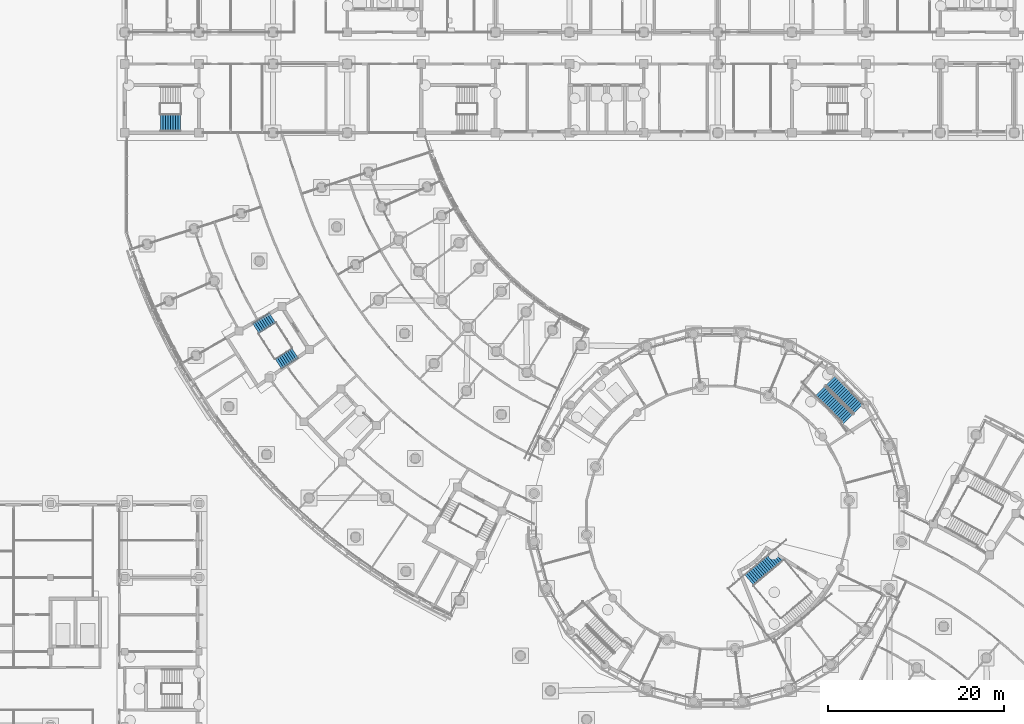
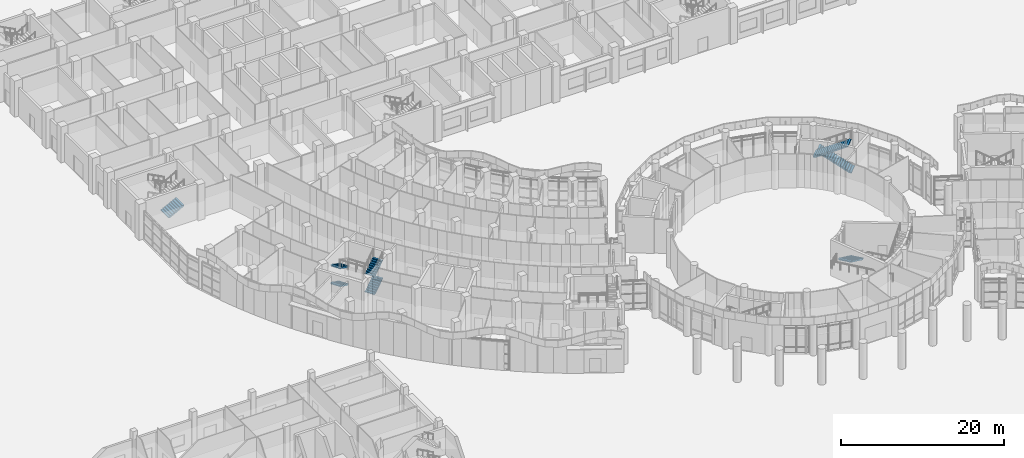
# One storey, part 96 of 146: 8 stair flights, 4 elements without a shape of their own.
"""IFC4 building model written with IfcOpenShell, lengths in metres."""

from ifc_helpers import new_model, si_unit, direction, frame, origin, place, context, subcontext, project, spatial, polyline, outline, extrude, material, type_object, element, aggregate, save


model = new_model("IFC4")

# Units and contexts
model_context = context("Model", 3, precision=1e-05, world=origin(), true_north=direction((0.0, 1.0)))
body_context = subcontext(model_context, "Body", "Model", "MODEL_VIEW")
ifc_project = project(units=[si_unit("LENGTHUNIT", "METRE"), si_unit("AREAUNIT", "SQUARE_METRE"), si_unit("VOLUMEUNIT", "CUBIC_METRE"), si_unit("PLANEANGLEUNIT", "RADIAN"), si_unit("MASSUNIT", "GRAM", prefix="KILO")], contexts=[model_context])

# Site, building, storey
site_placement = place(None, origin())
site = spatial("IfcSite", under=ifc_project, at=site_placement, CompositionType="ELEMENT")
building_placement = place(site_placement, origin())
building = spatial("IfcBuilding", under=site, at=building_placement, Name="Bougainvillea Quay General Hospital", CompositionType="ELEMENT")
storey_placement = place(building_placement, origin())
storey = spatial("IfcBuildingStorey", under=building, at=storey_placement, Name="L00", CompositionType="ELEMENT", Elevation=0.0)

# Stair, stair flights
ifc_material = material(Name="Concrete C35", Category="concrete")
stair_type_1 = type_object("IfcStairType", Name="Stair half-turn 1350 wide", PredefinedType="HALF_TURN_STAIR", material=ifc_material)
stair_1_placement = place(storey_placement, origin())
stair_1 = element("IfcStair", 1, at=stair_1_placement, inside=storey, type_object=stair_type_1, Name="L00 stair ST-W2", PredefinedType="HALF_TURN_STAIR")
stair_flight_type_1 = type_object("IfcStairFlightType", Name="Stair flight 1350", PredefinedType="STRAIGHT", material=ifc_material)
stair_flight_1_placement = place(storey_placement, frame((58.736572265625, 96.6396484375, 0.0), z_axis=(0.0, 0.0, 1.0), x_axis=(-0.842999170031, -0.537914862526, 0.0)))
stair_flight_1 = element("IfcStairFlight", 2, at=stair_flight_1_placement, type_object=stair_flight_type_1, Name="ST-W2 flight 1", NumberOfRisers=9, NumberOfTreads=8, PredefinedType="STRAIGHT", RiserHeight=0.15, TreadLength=0.28, context=body_context, shape_type="SweptSolid", body=[
    extrude(outline(polyline([(-0.0029296875, 0.0), (-0.0029296875, 0.003662109375), (-0.0029296875, 0.00732421875), (-0.0029296875, 0.010986328125), (-0.0029296875, 0.0146484375), (-0.0029296875, 0.018310546875), (-0.0029296875, 0.02197265625), (-0.0029296875, 0.025634765625), (-0.0029296875, 0.029296875), (-0.0029296875, 0.032958984375), (-0.0029296875, 0.03662109375), (-0.0029296875, 0.040283203125), (-0.0029296875, 0.0439453125), (-0.0029296875, 0.047607421875), (-0.0029296875, 0.05126953125), (-0.0029296875, 0.054931640625), (-0.0029296875, 0.05859375), (-0.0029296875, 0.062255859375), (-0.0029296875, 0.06591796875), (-0.0029296875, 0.069580078125), (-0.0029296875, 0.0732421875), (-0.0029296875, 0.076904296875), (-0.0029296875, 0.08056640625), (-0.0029296875, 0.084228515625), (-0.0029296875, 0.087890625), (-0.0029296875, 0.091552734375), (-0.0029296875, 0.09521484375), (-0.0029296875, 0.098876953125), (-0.0029296875, 0.1025390625), (-0.0029296875, 0.106201171875), (-0.0029296875, 0.10986328125), (-0.0029296875, 0.113525390625), (-0.0029296875, 0.1171875), (-0.0029296875, 0.120849609375), (-0.0029296875, 0.12451171875), (-0.0029296875, 0.1279296875), (-0.0029296875, 0.131591796875), (-0.0029296875, 0.13525390625), (-0.0029296875, 0.138916015625), (-0.0029296875, 0.142578125), (-0.0029296875, 0.146240234375), (-0.0029296875, 0.14990234375), (0.280029296875, 0.14990234375), (0.280029296875, 0.300048828125), (0.56005859375, 0.300048828125), (0.56005859375, 0.449951171875), (0.840087890625, 0.449951171875), (0.840087890625, 0.60009765625), (1.1201171875, 0.60009765625), (1.1201171875, 0.75), (1.39990234375, 0.75), (1.39990234375, 0.89990234375), (1.679931640625, 0.89990234375), (1.679931640625, 1.050048828125), (1.9599609375, 1.050048828125), (1.9599609375, 1.199951171875), (2.242919921875, 1.199951171875), (2.242919921875, 1.19580078125), (2.242919921875, 1.191650390625), (2.242919921875, 1.1875), (2.242919921875, 1.183349609375), (2.242919921875, 1.17919921875), (2.242919921875, 1.175048828125), (2.242919921875, 1.1708984375), (2.242919921875, 1.166748046875), (2.242919921875, 1.16259765625), (2.242919921875, 1.158447265625), (2.242919921875, 1.154296875), (2.242919921875, 1.150146484375), (2.242919921875, 1.14599609375), (2.242919921875, 1.141845703125), (2.242919921875, 1.1376953125), (2.242919921875, 1.133544921875), (2.242919921875, 1.12939453125), (2.242919921875, 1.125244140625), (2.242919921875, 1.12109375), (2.242919921875, 1.116943359375), (2.242919921875, 1.11279296875), (2.242919921875, 1.108642578125), (2.242919921875, 1.1044921875), (2.242919921875, 1.100341796875), (2.242919921875, 1.09619140625), (2.242919921875, 1.092041015625), (2.242919921875, 1.087890625), (2.242919921875, 1.083984375), (2.242919921875, 1.079833984375), (2.242919921875, 1.07568359375), (2.242919921875, 1.071533203125), (2.242919921875, 1.0673828125), (2.242919921875, 1.063232421875), (2.242919921875, 1.05908203125), (2.242919921875, 1.054931640625), (2.242919921875, 1.05078125), (2.242919921875, 1.046630859375), (2.242919921875, 1.04248046875), (2.242919921875, 1.038330078125), (2.242919921875, 1.0341796875), (2.242919921875, 1.030029296875), (0.3173828125, 0.0), (-0.0029296875, 0.0)])), frame((0.0, 0.675048828125, 0.0), z_axis=(0.0, -1.0, 0.0), x_axis=(1.0, 0.0, 0.0)), (0.0, 0.0, 1.0), 1.35009765625),
])
stair_flight_2_placement = place(storey_placement, frame((59.4150390625, 91.412109375, 1.35009765625), z_axis=(0.0, 0.0, 1.0), x_axis=(0.842999170031, 0.537914862526, 0.0)))
stair_flight_2 = element("IfcStairFlight", 3, at=stair_flight_2_placement, type_object=stair_flight_type_1, Name="ST-W2 flight 2", NumberOfRisers=9, NumberOfTreads=8, PredefinedType="STRAIGHT", RiserHeight=0.15, TreadLength=0.28, context=body_context, shape_type="SweptSolid", body=[
    extrude(outline(polyline([(-0.0029296875, 0.0), (-0.0029296875, 0.003662109375), (-0.0029296875, 0.00732421875), (-0.0029296875, 0.010986328125), (-0.0029296875, 0.0146484375), (-0.0029296875, 0.018310546875), (-0.0029296875, 0.02197265625), (-0.0029296875, 0.025634765625), (-0.0029296875, 0.029296875), (-0.0029296875, 0.032958984375), (-0.0029296875, 0.03662109375), (-0.0029296875, 0.040283203125), (-0.0029296875, 0.0439453125), (-0.0029296875, 0.047607421875), (-0.0029296875, 0.05126953125), (-0.0029296875, 0.054931640625), (-0.0029296875, 0.05859375), (-0.0029296875, 0.062255859375), (-0.0029296875, 0.06591796875), (-0.0029296875, 0.069580078125), (-0.0029296875, 0.0732421875), (-0.0029296875, 0.076904296875), (-0.0029296875, 0.08056640625), (-0.0029296875, 0.084228515625), (-0.0029296875, 0.087890625), (-0.0029296875, 0.091552734375), (-0.0029296875, 0.09521484375), (-0.0029296875, 0.098876953125), (-0.0029296875, 0.1025390625), (-0.0029296875, 0.106201171875), (-0.0029296875, 0.10986328125), (-0.0029296875, 0.113525390625), (-0.0029296875, 0.1171875), (-0.0029296875, 0.120849609375), (-0.0029296875, 0.12451171875), (-0.0029296875, 0.1279296875), (-0.0029296875, 0.131591796875), (-0.0029296875, 0.13525390625), (-0.0029296875, 0.138916015625), (-0.0029296875, 0.142578125), (-0.0029296875, 0.146240234375), (-0.0029296875, 0.14990234375), (0.280029296875, 0.14990234375), (0.280029296875, 0.300048828125), (0.56005859375, 0.300048828125), (0.56005859375, 0.449951171875), (0.840087890625, 0.449951171875), (0.840087890625, 0.60009765625), (1.1201171875, 0.60009765625), (1.1201171875, 0.75), (1.39990234375, 0.75), (1.39990234375, 0.89990234375), (1.679931640625, 0.89990234375), (1.679931640625, 1.050048828125), (1.9599609375, 1.050048828125), (1.9599609375, 1.199951171875), (2.242919921875, 1.199951171875), (2.242919921875, 1.19580078125), (2.242919921875, 1.191650390625), (2.242919921875, 1.1875), (2.242919921875, 1.183349609375), (2.242919921875, 1.17919921875), (2.242919921875, 1.175048828125), (2.242919921875, 1.1708984375), (2.242919921875, 1.166748046875), (2.242919921875, 1.16259765625), (2.242919921875, 1.158447265625), (2.242919921875, 1.154296875), (2.242919921875, 1.150146484375), (2.242919921875, 1.14599609375), (2.242919921875, 1.141845703125), (2.242919921875, 1.1376953125), (2.242919921875, 1.133544921875), (2.242919921875, 1.12939453125), (2.242919921875, 1.125244140625), (2.242919921875, 1.12109375), (2.242919921875, 1.116943359375), (2.242919921875, 1.11279296875), (2.242919921875, 1.108642578125), (2.242919921875, 1.1044921875), (2.242919921875, 1.100341796875), (2.242919921875, 1.09619140625), (2.242919921875, 1.092041015625), (2.242919921875, 1.087890625), (2.242919921875, 1.083984375), (2.242919921875, 1.079833984375), (2.242919921875, 1.07568359375), (2.242919921875, 1.071533203125), (2.242919921875, 1.0673828125), (2.242919921875, 1.063232421875), (2.242919921875, 1.05908203125), (2.242919921875, 1.054931640625), (2.242919921875, 1.05078125), (2.242919921875, 1.046630859375), (2.242919921875, 1.04248046875), (2.242919921875, 1.038330078125), (2.242919921875, 1.0341796875), (2.242919921875, 1.030029296875), (0.3173828125, 0.0), (-0.0029296875, 0.0)])), frame((0.0, 0.675048828125, 0.0), z_axis=(0.0, -1.0, 0.0), x_axis=(1.0, 0.0, 0.0)), (0.0, 0.0, 1.0), 1.35009765625),
])
stair_flight_3_placement = place(storey_placement, frame((58.736572265625, 96.6396484375, 2.699951171875), z_axis=(0.0, 0.0, 1.0), x_axis=(-0.842999170031, -0.537914862526, 0.0)))
stair_flight_3 = element("IfcStairFlight", 4, at=stair_flight_3_placement, type_object=stair_flight_type_1, Name="ST-W2 flight 3", NumberOfRisers=9, NumberOfTreads=8, PredefinedType="STRAIGHT", RiserHeight=0.15, TreadLength=0.28, context=body_context, shape_type="SweptSolid", body=[
    extrude(outline(polyline([(-0.0029296875, 0.0), (-0.0029296875, 0.003662109375), (-0.0029296875, 0.00732421875), (-0.0029296875, 0.010986328125), (-0.0029296875, 0.0146484375), (-0.0029296875, 0.018310546875), (-0.0029296875, 0.02197265625), (-0.0029296875, 0.025634765625), (-0.0029296875, 0.029296875), (-0.0029296875, 0.032958984375), (-0.0029296875, 0.03662109375), (-0.0029296875, 0.040283203125), (-0.0029296875, 0.0439453125), (-0.0029296875, 0.047607421875), (-0.0029296875, 0.05126953125), (-0.0029296875, 0.054931640625), (-0.0029296875, 0.05859375), (-0.0029296875, 0.062255859375), (-0.0029296875, 0.06591796875), (-0.0029296875, 0.069580078125), (-0.0029296875, 0.0732421875), (-0.0029296875, 0.076904296875), (-0.0029296875, 0.08056640625), (-0.0029296875, 0.084228515625), (-0.0029296875, 0.087890625), (-0.0029296875, 0.091552734375), (-0.0029296875, 0.09521484375), (-0.0029296875, 0.098876953125), (-0.0029296875, 0.1025390625), (-0.0029296875, 0.106201171875), (-0.0029296875, 0.10986328125), (-0.0029296875, 0.113525390625), (-0.0029296875, 0.1171875), (-0.0029296875, 0.120849609375), (-0.0029296875, 0.12451171875), (-0.0029296875, 0.1279296875), (-0.0029296875, 0.131591796875), (-0.0029296875, 0.13525390625), (-0.0029296875, 0.138916015625), (-0.0029296875, 0.142578125), (-0.0029296875, 0.146240234375), (-0.0029296875, 0.14990234375), (0.280029296875, 0.14990234375), (0.280029296875, 0.300048828125), (0.56005859375, 0.300048828125), (0.56005859375, 0.449951171875), (0.840087890625, 0.449951171875), (0.840087890625, 0.60009765625), (1.1201171875, 0.60009765625), (1.1201171875, 0.75), (1.39990234375, 0.75), (1.39990234375, 0.89990234375), (1.679931640625, 0.89990234375), (1.679931640625, 1.050048828125), (1.9599609375, 1.050048828125), (1.9599609375, 1.199951171875), (2.242919921875, 1.199951171875), (2.242919921875, 1.19580078125), (2.242919921875, 1.191650390625), (2.242919921875, 1.1875), (2.242919921875, 1.183349609375), (2.242919921875, 1.17919921875), (2.242919921875, 1.175048828125), (2.242919921875, 1.1708984375), (2.242919921875, 1.166748046875), (2.242919921875, 1.16259765625), (2.242919921875, 1.158447265625), (2.242919921875, 1.154296875), (2.242919921875, 1.150146484375), (2.242919921875, 1.14599609375), (2.242919921875, 1.141845703125), (2.242919921875, 1.1376953125), (2.242919921875, 1.133544921875), (2.242919921875, 1.12939453125), (2.242919921875, 1.125244140625), (2.242919921875, 1.12109375), (2.242919921875, 1.116943359375), (2.242919921875, 1.11279296875), (2.242919921875, 1.108642578125), (2.242919921875, 1.1044921875), (2.242919921875, 1.100341796875), (2.242919921875, 1.09619140625), (2.242919921875, 1.092041015625), (2.242919921875, 1.087890625), (2.242919921875, 1.083984375), (2.242919921875, 1.079833984375), (2.242919921875, 1.07568359375), (2.242919921875, 1.071533203125), (2.242919921875, 1.0673828125), (2.242919921875, 1.063232421875), (2.242919921875, 1.05908203125), (2.242919921875, 1.054931640625), (2.242919921875, 1.05078125), (2.242919921875, 1.046630859375), (2.242919921875, 1.04248046875), (2.242919921875, 1.038330078125), (2.242919921875, 1.0341796875), (2.242919921875, 1.030029296875), (0.3173828125, 0.0), (-0.0029296875, 0.0)])), frame((0.0, 0.675048828125, 0.0), z_axis=(0.0, -1.0, 0.0), x_axis=(1.0, 0.0, 0.0)), (0.0, 0.0, 1.0), 1.35009765625),
])
stair_flight_4_placement = place(storey_placement, frame((59.4150390625, 91.412109375, 4.050048828125), z_axis=(0.0, 0.0, 1.0), x_axis=(0.842999170031, 0.537914862526, 0.0)))
stair_flight_4 = element("IfcStairFlight", 5, at=stair_flight_4_placement, type_object=stair_flight_type_1, Name="ST-W2 flight 4", NumberOfRisers=9, NumberOfTreads=8, PredefinedType="STRAIGHT", RiserHeight=0.15, TreadLength=0.28, context=body_context, shape_type="SweptSolid", body=[
    extrude(outline(polyline([(-0.0029296875, 0.0), (-0.0029296875, 0.003662109375), (-0.0029296875, 0.00732421875), (-0.0029296875, 0.010986328125), (-0.0029296875, 0.0146484375), (-0.0029296875, 0.018310546875), (-0.0029296875, 0.02197265625), (-0.0029296875, 0.025634765625), (-0.0029296875, 0.029296875), (-0.0029296875, 0.032958984375), (-0.0029296875, 0.03662109375), (-0.0029296875, 0.040283203125), (-0.0029296875, 0.0439453125), (-0.0029296875, 0.047607421875), (-0.0029296875, 0.05126953125), (-0.0029296875, 0.054931640625), (-0.0029296875, 0.05859375), (-0.0029296875, 0.062255859375), (-0.0029296875, 0.06591796875), (-0.0029296875, 0.069580078125), (-0.0029296875, 0.0732421875), (-0.0029296875, 0.076904296875), (-0.0029296875, 0.08056640625), (-0.0029296875, 0.084228515625), (-0.0029296875, 0.087890625), (-0.0029296875, 0.091552734375), (-0.0029296875, 0.09521484375), (-0.0029296875, 0.098876953125), (-0.0029296875, 0.1025390625), (-0.0029296875, 0.106201171875), (-0.0029296875, 0.10986328125), (-0.0029296875, 0.113525390625), (-0.0029296875, 0.1171875), (-0.0029296875, 0.120849609375), (-0.0029296875, 0.12451171875), (-0.0029296875, 0.1279296875), (-0.0029296875, 0.131591796875), (-0.0029296875, 0.13525390625), (-0.0029296875, 0.138916015625), (-0.0029296875, 0.142578125), (-0.0029296875, 0.146240234375), (-0.0029296875, 0.14990234375), (0.280029296875, 0.14990234375), (0.280029296875, 0.300048828125), (0.56005859375, 0.300048828125), (0.56005859375, 0.449951171875), (0.840087890625, 0.449951171875), (0.840087890625, 0.60009765625), (1.1201171875, 0.60009765625), (1.1201171875, 0.75), (1.39990234375, 0.75), (1.39990234375, 0.89990234375), (1.679931640625, 0.89990234375), (1.679931640625, 1.050048828125), (1.9599609375, 1.050048828125), (1.9599609375, 1.199951171875), (2.242919921875, 1.199951171875), (2.242919921875, 1.19580078125), (2.242919921875, 1.191650390625), (2.242919921875, 1.1875), (2.242919921875, 1.183349609375), (2.242919921875, 1.17919921875), (2.242919921875, 1.175048828125), (2.242919921875, 1.1708984375), (2.242919921875, 1.166748046875), (2.242919921875, 1.16259765625), (2.242919921875, 1.158447265625), (2.242919921875, 1.154296875), (2.242919921875, 1.150146484375), (2.242919921875, 1.14599609375), (2.242919921875, 1.141845703125), (2.242919921875, 1.1376953125), (2.242919921875, 1.133544921875), (2.242919921875, 1.12939453125), (2.242919921875, 1.125244140625), (2.242919921875, 1.12109375), (2.242919921875, 1.116943359375), (2.242919921875, 1.11279296875), (2.242919921875, 1.108642578125), (2.242919921875, 1.1044921875), (2.242919921875, 1.100341796875), (2.242919921875, 1.09619140625), (2.242919921875, 1.092041015625), (2.242919921875, 1.087890625), (2.242919921875, 1.083984375), (2.242919921875, 1.079833984375), (2.242919921875, 1.07568359375), (2.242919921875, 1.071533203125), (2.242919921875, 1.0673828125), (2.242919921875, 1.063232421875), (2.242919921875, 1.05908203125), (2.242919921875, 1.054931640625), (2.242919921875, 1.05078125), (2.242919921875, 1.046630859375), (2.242919921875, 1.04248046875), (2.242919921875, 1.038330078125), (2.242919921875, 1.0341796875), (2.242919921875, 1.030029296875), (0.3173828125, 0.0), (-0.0029296875, 0.0)])), frame((0.0, 0.675048828125, 0.0), z_axis=(0.0, -1.0, 0.0), x_axis=(1.0, 0.0, 0.0)), (0.0, 0.0, 1.0), 1.35009765625),
])
aggregate(stair_1, [stair_flight_1, stair_flight_2, stair_flight_3, stair_flight_4])

stair_type_2 = type_object("IfcStairType", Name="Stair half-turn 1563 wide", PredefinedType="HALF_TURN_STAIR", material=ifc_material)
stair_2_placement = place(storey_placement, origin())
stair_2 = element("IfcStair", 6, at=stair_2_placement, inside=storey, type_object=stair_type_2, Name="L00 stair ST-H1", PredefinedType="HALF_TURN_STAIR")
stair_flight_type_2 = type_object("IfcStairFlightType", Name="Stair flight 1563", PredefinedType="STRAIGHT", material=ifc_material)
stair_flight_5_placement = place(storey_placement, frame((125.146728515625, 86.318115234375, 0.0), z_axis=(0.0, 0.0, 1.0), x_axis=(-0.707106781187, 0.707106781187, 0.0)))
stair_flight_5 = element("IfcStairFlight", 7, at=stair_flight_5_placement, type_object=stair_flight_type_2, Name="ST-H1 flight 1", NumberOfRisers=17, NumberOfTreads=16, PredefinedType="STRAIGHT", RiserHeight=0.158823529, TreadLength=0.28, context=body_context, shape_type="SweptSolid", body=[
    extrude(outline(polyline([(-0.0029296875, 0.0), (-0.0029296875, 0.00390625), (-0.0029296875, 0.0078125), (-0.0029296875, 0.01171875), (-0.0029296875, 0.015380859375), (-0.0029296875, 0.019287109375), (-0.0029296875, 0.023193359375), (-0.0029296875, 0.027099609375), (-0.0029296875, 0.031005859375), (-0.0029296875, 0.034912109375), (-0.0029296875, 0.038818359375), (-0.0029296875, 0.042724609375), (-0.0029296875, 0.04638671875), (-0.0029296875, 0.05029296875), (-0.0029296875, 0.05419921875), (-0.0029296875, 0.05810546875), (-0.0029296875, 0.06201171875), (-0.0029296875, 0.06591796875), (-0.0029296875, 0.06982421875), (-0.0029296875, 0.073486328125), (-0.0029296875, 0.077392578125), (-0.0029296875, 0.081298828125), (-0.0029296875, 0.085205078125), (-0.0029296875, 0.089111328125), (-0.0029296875, 0.093017578125), (-0.0029296875, 0.096923828125), (-0.0029296875, 0.100830078125), (-0.0029296875, 0.1044921875), (-0.0029296875, 0.1083984375), (-0.0029296875, 0.1123046875), (-0.0029296875, 0.1162109375), (-0.0029296875, 0.1201171875), (-0.0029296875, 0.1240234375), (-0.0029296875, 0.1279296875), (-0.0029296875, 0.131591796875), (-0.0029296875, 0.135498046875), (-0.0029296875, 0.139404296875), (-0.0029296875, 0.143310546875), (-0.0029296875, 0.147216796875), (-0.0029296875, 0.151123046875), (-0.0029296875, 0.155029296875), (-0.0029296875, 0.158935546875), (0.280029296875, 0.158935546875), (0.280029296875, 0.317626953125), (0.56005859375, 0.317626953125), (0.56005859375, 0.4765625), (0.840087890625, 0.4765625), (0.840087890625, 0.63525390625), (1.1201171875, 0.63525390625), (1.1201171875, 0.794189453125), (1.39990234375, 0.794189453125), (1.39990234375, 0.952880859375), (1.679931640625, 0.952880859375), (1.679931640625, 1.11181640625), (1.9599609375, 1.11181640625), (1.9599609375, 1.2705078125), (2.239990234375, 1.2705078125), (2.239990234375, 1.429443359375), (2.52001953125, 1.429443359375), (2.52001953125, 1.588134765625), (2.800048828125, 1.588134765625), (2.800048828125, 1.7470703125), (3.080078125, 1.7470703125), (3.080078125, 1.90576171875), (3.360107421875, 1.90576171875), (3.360107421875, 2.064697265625), (3.639892578125, 2.064697265625), (3.639892578125, 2.2236328125), (3.919921875, 2.2236328125), (3.919921875, 2.38232421875), (4.199951171875, 2.38232421875), (4.199951171875, 2.541259765625), (4.48291015625, 2.541259765625), (4.48291015625, 2.536865234375), (4.48291015625, 2.53271484375), (4.48291015625, 2.528564453125), (4.48291015625, 2.5244140625), (4.48291015625, 2.520263671875), (4.48291015625, 2.515869140625), (4.48291015625, 2.51171875), (4.48291015625, 2.507568359375), (4.48291015625, 2.50341796875), (4.48291015625, 2.4990234375), (4.48291015625, 2.494873046875), (4.48291015625, 2.49072265625), (4.48291015625, 2.486572265625), (4.48291015625, 2.482421875), (4.48291015625, 2.47802734375), (4.48291015625, 2.473876953125), (4.48291015625, 2.4697265625), (4.48291015625, 2.465576171875), (4.48291015625, 2.46142578125), (4.48291015625, 2.45703125), (4.48291015625, 2.452880859375), (4.48291015625, 2.44873046875), (4.48291015625, 2.444580078125), (4.48291015625, 2.440185546875), (4.48291015625, 2.43603515625), (4.48291015625, 2.431884765625), (4.48291015625, 2.427734375), (4.48291015625, 2.423583984375), (4.48291015625, 2.419189453125), (4.48291015625, 2.4150390625), (4.48291015625, 2.410888671875), (4.48291015625, 2.40673828125), (4.48291015625, 2.40234375), (4.48291015625, 2.398193359375), (4.48291015625, 2.39404296875), (4.48291015625, 2.389892578125), (4.48291015625, 2.3857421875), (4.48291015625, 2.38134765625), (4.48291015625, 2.377197265625), (4.48291015625, 2.373046875), (4.48291015625, 2.368896484375), (0.3037109375, 0.0), (-0.0029296875, 0.0)])), frame((0.0, 0.781494140625, 0.0), z_axis=(0.0, -1.0, 0.0), x_axis=(1.0, 0.0, 0.0)), (0.0, 0.0, 1.0), 1.56298828125),
])
stair_flight_6_placement = place(storey_placement, frame((120.802978515625, 88.31005859375, 2.699951171875), z_axis=(0.0, 0.0, 1.0), x_axis=(0.707106781187, -0.707106781187, 0.0)))
stair_flight_6 = element("IfcStairFlight", 8, at=stair_flight_6_placement, type_object=stair_flight_type_2, Name="ST-H1 flight 2", NumberOfRisers=17, NumberOfTreads=16, PredefinedType="STRAIGHT", RiserHeight=0.158823529, TreadLength=0.28, context=body_context, shape_type="SweptSolid", body=[
    extrude(outline(polyline([(-0.0029296875, 0.0), (-0.0029296875, 0.00390625), (-0.0029296875, 0.0078125), (-0.0029296875, 0.01171875), (-0.0029296875, 0.015380859375), (-0.0029296875, 0.019287109375), (-0.0029296875, 0.023193359375), (-0.0029296875, 0.027099609375), (-0.0029296875, 0.031005859375), (-0.0029296875, 0.034912109375), (-0.0029296875, 0.038818359375), (-0.0029296875, 0.042724609375), (-0.0029296875, 0.04638671875), (-0.0029296875, 0.05029296875), (-0.0029296875, 0.05419921875), (-0.0029296875, 0.05810546875), (-0.0029296875, 0.06201171875), (-0.0029296875, 0.06591796875), (-0.0029296875, 0.06982421875), (-0.0029296875, 0.073486328125), (-0.0029296875, 0.077392578125), (-0.0029296875, 0.081298828125), (-0.0029296875, 0.085205078125), (-0.0029296875, 0.089111328125), (-0.0029296875, 0.093017578125), (-0.0029296875, 0.096923828125), (-0.0029296875, 0.100830078125), (-0.0029296875, 0.1044921875), (-0.0029296875, 0.1083984375), (-0.0029296875, 0.1123046875), (-0.0029296875, 0.1162109375), (-0.0029296875, 0.1201171875), (-0.0029296875, 0.1240234375), (-0.0029296875, 0.1279296875), (-0.0029296875, 0.131591796875), (-0.0029296875, 0.135498046875), (-0.0029296875, 0.139404296875), (-0.0029296875, 0.143310546875), (-0.0029296875, 0.147216796875), (-0.0029296875, 0.151123046875), (-0.0029296875, 0.155029296875), (-0.0029296875, 0.158935546875), (0.280029296875, 0.158935546875), (0.280029296875, 0.317626953125), (0.56005859375, 0.317626953125), (0.56005859375, 0.4765625), (0.840087890625, 0.4765625), (0.840087890625, 0.63525390625), (1.1201171875, 0.63525390625), (1.1201171875, 0.794189453125), (1.39990234375, 0.794189453125), (1.39990234375, 0.952880859375), (1.679931640625, 0.952880859375), (1.679931640625, 1.11181640625), (1.9599609375, 1.11181640625), (1.9599609375, 1.2705078125), (2.239990234375, 1.2705078125), (2.239990234375, 1.429443359375), (2.52001953125, 1.429443359375), (2.52001953125, 1.588134765625), (2.800048828125, 1.588134765625), (2.800048828125, 1.7470703125), (3.080078125, 1.7470703125), (3.080078125, 1.90576171875), (3.360107421875, 1.90576171875), (3.360107421875, 2.064697265625), (3.639892578125, 2.064697265625), (3.639892578125, 2.2236328125), (3.919921875, 2.2236328125), (3.919921875, 2.38232421875), (4.199951171875, 2.38232421875), (4.199951171875, 2.541259765625), (4.48291015625, 2.541259765625), (4.48291015625, 2.536865234375), (4.48291015625, 2.53271484375), (4.48291015625, 2.528564453125), (4.48291015625, 2.5244140625), (4.48291015625, 2.520263671875), (4.48291015625, 2.515869140625), (4.48291015625, 2.51171875), (4.48291015625, 2.507568359375), (4.48291015625, 2.50341796875), (4.48291015625, 2.4990234375), (4.48291015625, 2.494873046875), (4.48291015625, 2.49072265625), (4.48291015625, 2.486572265625), (4.48291015625, 2.482421875), (4.48291015625, 2.47802734375), (4.48291015625, 2.473876953125), (4.48291015625, 2.4697265625), (4.48291015625, 2.465576171875), (4.48291015625, 2.46142578125), (4.48291015625, 2.45703125), (4.48291015625, 2.452880859375), (4.48291015625, 2.44873046875), (4.48291015625, 2.444580078125), (4.48291015625, 2.440185546875), (4.48291015625, 2.43603515625), (4.48291015625, 2.431884765625), (4.48291015625, 2.427734375), (4.48291015625, 2.423583984375), (4.48291015625, 2.419189453125), (4.48291015625, 2.4150390625), (4.48291015625, 2.410888671875), (4.48291015625, 2.40673828125), (4.48291015625, 2.40234375), (4.48291015625, 2.398193359375), (4.48291015625, 2.39404296875), (4.48291015625, 2.389892578125), (4.48291015625, 2.3857421875), (4.48291015625, 2.38134765625), (4.48291015625, 2.377197265625), (4.48291015625, 2.373046875), (4.48291015625, 2.368896484375), (0.3037109375, 0.0), (-0.0029296875, 0.0)])), frame((0.0, 0.781494140625, 0.0), z_axis=(0.0, -1.0, 0.0), x_axis=(1.0, 0.0, 0.0)), (0.0, 0.0, 1.0), 1.56298828125),
])
aggregate(stair_2, [stair_flight_5, stair_flight_6])

# Stair, stair flight
stair_type_3 = type_object("IfcStairType", Name="Stair half-turn 1650 wide", PredefinedType="HALF_TURN_STAIR", material=ifc_material)
stair_3_placement = place(storey_placement, origin())
stair_3 = element("IfcStair", 9, at=stair_3_placement, inside=storey, type_object=stair_type_3, Name="L00 stair ST-H3", PredefinedType="HALF_TURN_STAIR")
stair_flight_type_3 = type_object("IfcStairFlightType", Name="Stair flight 1650", PredefinedType="STRAIGHT", material=ifc_material)
stair_flight_7_placement = place(storey_placement, frame((116.18359375, 69.8076171875, 0.0), z_axis=(0.0, 0.0, 1.0), x_axis=(-0.765925937559, -0.64292881268, 0.0)))
stair_flight_7 = element("IfcStairFlight", 10, at=stair_flight_7_placement, type_object=stair_flight_type_3, Name="ST-H3 flight 1", NumberOfRisers=17, NumberOfTreads=16, PredefinedType="STRAIGHT", RiserHeight=0.158823529, TreadLength=0.28, context=body_context, shape_type="SweptSolid", body=[
    extrude(outline(polyline([(-0.0029296875, 0.0), (-0.0029296875, 0.00390625), (-0.0029296875, 0.0078125), (-0.0029296875, 0.01171875), (-0.0029296875, 0.015380859375), (-0.0029296875, 0.019287109375), (-0.0029296875, 0.023193359375), (-0.0029296875, 0.027099609375), (-0.0029296875, 0.031005859375), (-0.0029296875, 0.034912109375), (-0.0029296875, 0.038818359375), (-0.0029296875, 0.042724609375), (-0.0029296875, 0.04638671875), (-0.0029296875, 0.05029296875), (-0.0029296875, 0.05419921875), (-0.0029296875, 0.05810546875), (-0.0029296875, 0.06201171875), (-0.0029296875, 0.06591796875), (-0.0029296875, 0.06982421875), (-0.0029296875, 0.073486328125), (-0.0029296875, 0.077392578125), (-0.0029296875, 0.081298828125), (-0.0029296875, 0.085205078125), (-0.0029296875, 0.089111328125), (-0.0029296875, 0.093017578125), (-0.0029296875, 0.096923828125), (-0.0029296875, 0.100830078125), (-0.0029296875, 0.1044921875), (-0.0029296875, 0.1083984375), (-0.0029296875, 0.1123046875), (-0.0029296875, 0.1162109375), (-0.0029296875, 0.1201171875), (-0.0029296875, 0.1240234375), (-0.0029296875, 0.1279296875), (-0.0029296875, 0.131591796875), (-0.0029296875, 0.135498046875), (-0.0029296875, 0.139404296875), (-0.0029296875, 0.143310546875), (-0.0029296875, 0.147216796875), (-0.0029296875, 0.151123046875), (-0.0029296875, 0.155029296875), (-0.0029296875, 0.158935546875), (0.280029296875, 0.158935546875), (0.280029296875, 0.317626953125), (0.56005859375, 0.317626953125), (0.56005859375, 0.4765625), (0.840087890625, 0.4765625), (0.840087890625, 0.63525390625), (1.1201171875, 0.63525390625), (1.1201171875, 0.794189453125), (1.39990234375, 0.794189453125), (1.39990234375, 0.952880859375), (1.679931640625, 0.952880859375), (1.679931640625, 1.11181640625), (1.9599609375, 1.11181640625), (1.9599609375, 1.2705078125), (2.239990234375, 1.2705078125), (2.239990234375, 1.429443359375), (2.52001953125, 1.429443359375), (2.52001953125, 1.588134765625), (2.800048828125, 1.588134765625), (2.800048828125, 1.7470703125), (3.080078125, 1.7470703125), (3.080078125, 1.90576171875), (3.360107421875, 1.90576171875), (3.360107421875, 2.064697265625), (3.639892578125, 2.064697265625), (3.639892578125, 2.2236328125), (3.919921875, 2.2236328125), (3.919921875, 2.38232421875), (4.199951171875, 2.38232421875), (4.199951171875, 2.541259765625), (4.48291015625, 2.541259765625), (4.48291015625, 2.536865234375), (4.48291015625, 2.53271484375), (4.48291015625, 2.528564453125), (4.48291015625, 2.5244140625), (4.48291015625, 2.520263671875), (4.48291015625, 2.515869140625), (4.48291015625, 2.51171875), (4.48291015625, 2.507568359375), (4.48291015625, 2.50341796875), (4.48291015625, 2.4990234375), (4.48291015625, 2.494873046875), (4.48291015625, 2.49072265625), (4.48291015625, 2.486572265625), (4.48291015625, 2.482421875), (4.48291015625, 2.47802734375), (4.48291015625, 2.473876953125), (4.48291015625, 2.4697265625), (4.48291015625, 2.465576171875), (4.48291015625, 2.46142578125), (4.48291015625, 2.45703125), (4.48291015625, 2.452880859375), (4.48291015625, 2.44873046875), (4.48291015625, 2.444580078125), (4.48291015625, 2.440185546875), (4.48291015625, 2.43603515625), (4.48291015625, 2.431884765625), (4.48291015625, 2.427734375), (4.48291015625, 2.423583984375), (4.48291015625, 2.419189453125), (4.48291015625, 2.4150390625), (4.48291015625, 2.410888671875), (4.48291015625, 2.40673828125), (4.48291015625, 2.40234375), (4.48291015625, 2.398193359375), (4.48291015625, 2.39404296875), (4.48291015625, 2.389892578125), (4.48291015625, 2.3857421875), (4.48291015625, 2.38134765625), (4.48291015625, 2.377197265625), (4.48291015625, 2.373046875), (4.48291015625, 2.368896484375), (0.3037109375, 0.0), (-0.0029296875, 0.0)])), frame((0.0, 0.824951171875, 0.0), z_axis=(0.0, -1.0, 0.0), x_axis=(1.0, 0.0, 0.0)), (0.0, 0.0, 1.0), 1.64990234375),
])
aggregate(stair_3, [stair_flight_7])

stair_type_4 = type_object("IfcStairType", Name="Stair half-turn 1925 wide", PredefinedType="HALF_TURN_STAIR", material=ifc_material)
stair_4_placement = place(storey_placement, origin())
stair_4 = element("IfcStair", 11, at=stair_4_placement, inside=storey, type_object=stair_type_4, Name="L00 stair ST-B1", PredefinedType="HALF_TURN_STAIR")
stair_flight_type_4 = type_object("IfcStairFlightType", Name="Stair flight 1925", PredefinedType="STRAIGHT", material=ifc_material)
stair_flight_8_placement = place(storey_placement, frame((46.06005859375, 118.737548828125, 1.35009765625), z_axis=(0.0, 0.0, 1.0), x_axis=(1.0, 0.0, 0.0)))
stair_flight_8 = element("IfcStairFlight", 12, at=stair_flight_8_placement, type_object=stair_flight_type_4, Name="ST-B1 flight 2", NumberOfRisers=9, NumberOfTreads=8, PredefinedType="STRAIGHT", RiserHeight=0.15, TreadLength=0.28, context=body_context, shape_type="SweptSolid", body=[
    extrude(outline(polyline([(-0.0029296875, 0.0), (-0.0029296875, 0.003662109375), (-0.0029296875, 0.00732421875), (-0.0029296875, 0.010986328125), (-0.0029296875, 0.0146484375), (-0.0029296875, 0.018310546875), (-0.0029296875, 0.02197265625), (-0.0029296875, 0.025634765625), (-0.0029296875, 0.029296875), (-0.0029296875, 0.032958984375), (-0.0029296875, 0.03662109375), (-0.0029296875, 0.040283203125), (-0.0029296875, 0.0439453125), (-0.0029296875, 0.047607421875), (-0.0029296875, 0.05126953125), (-0.0029296875, 0.054931640625), (-0.0029296875, 0.05859375), (-0.0029296875, 0.062255859375), (-0.0029296875, 0.06591796875), (-0.0029296875, 0.069580078125), (-0.0029296875, 0.0732421875), (-0.0029296875, 0.076904296875), (-0.0029296875, 0.08056640625), (-0.0029296875, 0.084228515625), (-0.0029296875, 0.087890625), (-0.0029296875, 0.091552734375), (-0.0029296875, 0.09521484375), (-0.0029296875, 0.098876953125), (-0.0029296875, 0.1025390625), (-0.0029296875, 0.106201171875), (-0.0029296875, 0.10986328125), (-0.0029296875, 0.113525390625), (-0.0029296875, 0.1171875), (-0.0029296875, 0.120849609375), (-0.0029296875, 0.12451171875), (-0.0029296875, 0.1279296875), (-0.0029296875, 0.131591796875), (-0.0029296875, 0.13525390625), (-0.0029296875, 0.138916015625), (-0.0029296875, 0.142578125), (-0.0029296875, 0.146240234375), (-0.0029296875, 0.14990234375), (0.280029296875, 0.14990234375), (0.280029296875, 0.300048828125), (0.56005859375, 0.300048828125), (0.56005859375, 0.449951171875), (0.840087890625, 0.449951171875), (0.840087890625, 0.60009765625), (1.1201171875, 0.60009765625), (1.1201171875, 0.75), (1.39990234375, 0.75), (1.39990234375, 0.89990234375), (1.679931640625, 0.89990234375), (1.679931640625, 1.050048828125), (1.9599609375, 1.050048828125), (1.9599609375, 1.199951171875), (2.242919921875, 1.199951171875), (2.242919921875, 1.19580078125), (2.242919921875, 1.191650390625), (2.242919921875, 1.1875), (2.242919921875, 1.183349609375), (2.242919921875, 1.17919921875), (2.242919921875, 1.175048828125), (2.242919921875, 1.1708984375), (2.242919921875, 1.166748046875), (2.242919921875, 1.16259765625), (2.242919921875, 1.158447265625), (2.242919921875, 1.154296875), (2.242919921875, 1.150146484375), (2.242919921875, 1.14599609375), (2.242919921875, 1.141845703125), (2.242919921875, 1.1376953125), (2.242919921875, 1.133544921875), (2.242919921875, 1.12939453125), (2.242919921875, 1.125244140625), (2.242919921875, 1.12109375), (2.242919921875, 1.116943359375), (2.242919921875, 1.11279296875), (2.242919921875, 1.108642578125), (2.242919921875, 1.1044921875), (2.242919921875, 1.100341796875), (2.242919921875, 1.09619140625), (2.242919921875, 1.092041015625), (2.242919921875, 1.087890625), (2.242919921875, 1.083984375), (2.242919921875, 1.079833984375), (2.242919921875, 1.07568359375), (2.242919921875, 1.071533203125), (2.242919921875, 1.0673828125), (2.242919921875, 1.063232421875), (2.242919921875, 1.05908203125), (2.242919921875, 1.054931640625), (2.242919921875, 1.05078125), (2.242919921875, 1.046630859375), (2.242919921875, 1.04248046875), (2.242919921875, 1.038330078125), (2.242919921875, 1.0341796875), (2.242919921875, 1.030029296875), (0.3173828125, 0.0), (-0.0029296875, 0.0)])), frame((0.0, 0.96240234375, 0.0), z_axis=(0.0, -1.0, 0.0), x_axis=(1.0, 0.0, 0.0)), (0.0, 0.0, 1.0), 1.925048828125),
])
aggregate(stair_4, [stair_flight_8])

save(model, "model.ifc")
